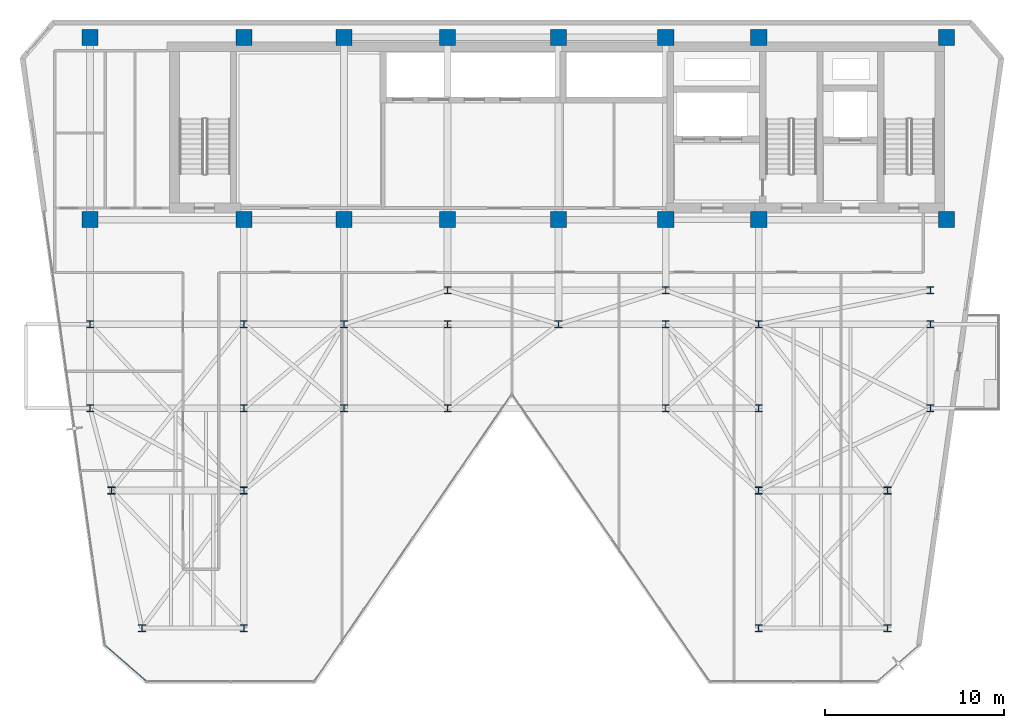
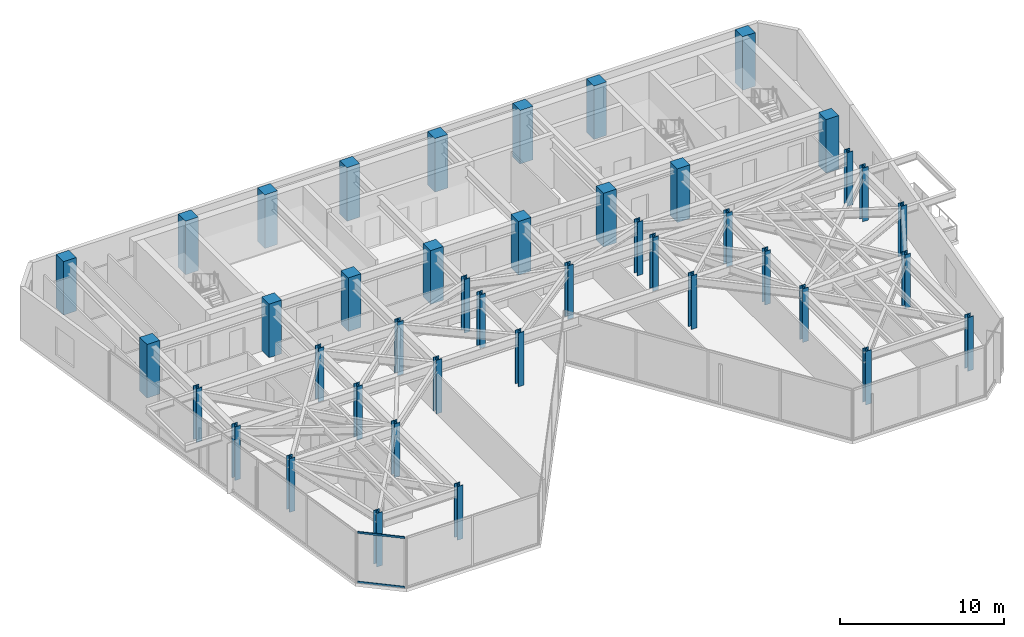
# One storey, part 1 of 26: 42 columns, 2 members, 1 element without a shape of its own.
"""IFC4 building model written with IfcOpenShell, lengths in metres."""

from ifc_helpers import new_model, si_unit, direction, frame, origin, origin_2d, place, context, subcontext, project, spatial, rectangle, hollow_rectangle, i_section, extrude, material, layer, layer_set, material_profile, profile_set, type_object, element, aggregate, save


model = new_model("IFC4")

# Units and contexts
model_context = context("Model", 3, precision=1e-05, world=origin(), true_north=direction((0.0, 1.0)))
body_context = subcontext(model_context, "Body", "Model", "MODEL_VIEW")
ifc_project = project(units=[si_unit("LENGTHUNIT", "METRE"), si_unit("AREAUNIT", "SQUARE_METRE"), si_unit("VOLUMEUNIT", "CUBIC_METRE"), si_unit("PLANEANGLEUNIT", "RADIAN"), si_unit("MASSUNIT", "GRAM", prefix="KILO")], contexts=[model_context])

# Site, building, storey
site_placement = place(None, origin())
site = spatial("IfcSite", under=ifc_project, at=site_placement, CompositionType="ELEMENT")
building_placement = place(site_placement, origin())
building = spatial("IfcBuilding", under=site, at=building_placement, Name="Kravanh Interchange Tower", CompositionType="ELEMENT")
storey_placement = place(building_placement, frame((0.0, 0.0, 212.5)))
storey = spatial("IfcBuildingStorey", under=building, at=storey_placement, Name="L51", CompositionType="ELEMENT", Elevation=212.5)

# Columns
ifc_material_1 = material(Name="Concrete C60/75", Category="concrete")
ifc_material_profile_1 = material_profile(ifc_material_1, rectangle(XDim=0.89990234375, YDim=0.89990234375, at=origin_2d()), Name="RC900X900")
ifc_profile_set_1 = profile_set([ifc_material_profile_1], Name="Concrete C60/75")
column_type_1 = type_object("IfcColumnType", Name="Column RC900X900 Concrete C60/75", PredefinedType="COLUMN", material=ifc_profile_set_1)
for number, where, z_axis, x_axis, name in (
    (1, (66.5, 47.550048828125, 0.0), (0.0, 0.0, 1.0), (1.0, 0.0, 0.0), "L51 Column CS01"),
    (2, (56.0, 47.550048828125, 0.0), (0.0, 0.0, 1.0), (1.0, 0.0, 0.0), "L51 Column CS02"),
    (3, (66.5, 37.35009765625, 0.0), (0.0, 0.0, 1.0), (1.0, 0.0, 0.0), "L51 Column CS03"),
    (4, (56.0, 37.35009765625, 0.0), (0.0, 0.0, 1.0), (1.0, 0.0, 0.0), "L51 Column CS04"),
    (5, (50.800048828125, 47.550048828125, 0.0), (0.0, 0.0, 1.0), (1.0, 0.0, 0.0), "L51 Column CS05"),
    (6, (50.800048828125, 37.35009765625, 0.0), (0.0, 0.0, 1.0), (1.0, 0.0, 0.0), "L51 Column CS06"),
    (7, (44.800048828125, 37.35009765625, 0.0), (0.0, 0.0, 1.0), (1.0, 0.0, 0.0), "L51 Column CS07"),
    (8, (44.800048828125, 47.550048828125, 0.0), (0.0, 0.0, 1.0), (1.0, 0.0, 0.0), "L51 Column CS08"),
    (9, (38.60009765625, 37.35009765625, 0.0), (0.0, 0.0, 1.0), (1.0, 0.0, 0.0), "L51 Column CS09"),
    (10, (38.60009765625, 47.550048828125, 0.0), (0.0, 0.0, 1.0), (1.0, 0.0, 0.0), "L51 Column CS10"),
    (11, (32.800048828125, 37.35009765625, 0.0), (0.0, 0.0, 1.0), (1.0, 0.0, 0.0), "L51 Column CS11"),
    (12, (32.800048828125, 47.550048828125, 0.0), (0.0, 0.0, 1.0), (1.0, 0.0, 0.0), "L51 Column CS12"),
    (13, (27.199951171875, 37.35009765625, 0.0), (0.0, 0.0, 1.0), (1.0, 0.0, 0.0), "L51 Column CS13"),
    (14, (27.199951171875, 47.550048828125, 0.0), (0.0, 0.0, 1.0), (1.0, 0.0, 0.0), "L51 Column CS14"),
    (15, (18.60009765625, 37.35009765625, 0.0), (0.0, 0.0, 1.0), (1.0, 0.0, 0.0), "L51 Column CS17"),
    (16, (18.60009765625, 47.550048828125, 0.0), (0.0, 0.0, 1.0), (1.0, 0.0, 0.0), "L51 Column CS18"),
):
    element("IfcColumn", number, at=place(storey_placement, frame(where, z_axis=z_axis, x_axis=x_axis)), inside=storey, type_object=column_type_1, Name=name, PredefinedType="COLUMN", context=body_context, shape_type="SweptSolid", body=[
        extrude(rectangle(XDim=0.89990234375, YDim=0.89990234375, at=origin_2d()), origin(), (0.0, 0.0, 1.0), 4.0),
    ])
ifc_material_2 = material(Name="Structural Steel S355", Category="steel")
ifc_material_profile_2 = material_profile(ifc_material_2, i_section(OverallWidth=0.40087890625, OverallDepth=0.39892578125, WebThickness=0.02490234375, FlangeThickness=0.03955078125, FilletRadius=0.030029296875, at=origin_2d()), Name="W14X211")
ifc_profile_set_2 = profile_set([ifc_material_profile_2], Name="Structural Steel S355")
column_type_2 = type_object("IfcColumnType", Name="Column W14X211 Structural Steel S355", PredefinedType="COLUMN", material=ifc_profile_set_2)
for number, where, z_axis, x_axis, name in (
    (17, (21.5, 14.5, 0.0), (0.0, 0.0, 1.0), (1.0, 0.0, 0.0), "L51 Column CZ3_1"),
    (18, (18.60009765625, 26.800048828125, 0.0), (0.0, 0.0, 1.0), (1.0, 0.0, 0.0), "L51 Column CZ3_11"),
    (19, (27.199951171875, 26.800048828125, 0.0), (0.0, 0.0, 1.0), (1.0, 0.0, 0.0), "L51 Column CZ3_12"),
    (20, (32.800048828125, 26.800048828125, 0.0), (0.0, 0.0, 1.0), (1.0, 0.0, 0.0), "L51 Column CZ3_13"),
    (21, (38.60009765625, 26.800048828125, 0.0), (0.0, 0.0, 1.0), (1.0, 0.0, 0.0), "L51 Column CZ3_13B"),
    (22, (50.800048828125, 26.800048828125, 0.0), (0.0, 0.0, 1.0), (1.0, 0.0, 0.0), "L51 Column CZ3_14"),
    (23, (56.0, 26.800048828125, 0.0), (0.0, 0.0, 1.0), (1.0, 0.0, 0.0), "L51 Column CZ3_15"),
    (24, (65.60009765625, 26.800048828125, 0.0), (0.0, 0.0, 1.0), (1.0, 0.0, 0.0), "L51 Column CZ3_16"),
    (25, (18.60009765625, 31.5, 0.0), (0.0, 0.0, 1.0), (1.0, 0.0, 0.0), "L51 Column CZ3_17"),
    (26, (27.199951171875, 31.5, 0.0), (0.0, 0.0, 1.0), (1.0, 0.0, 0.0), "L51 Column CZ3_18"),
    (27, (32.800048828125, 31.5, 0.0), (0.0, 0.0, 1.0), (1.0, 0.0, 0.0), "L51 Column CZ3_19"),
    (28, (27.199951171875, 14.5, 0.0), (0.0, 0.0, 1.0), (1.0, 0.0, 0.0), "L51 Column CZ3_2"),
    (29, (38.60009765625, 31.5, 0.0), (0.0, 0.0, 1.0), (1.0, 0.0, 0.0), "L51 Column CZ3_20"),
    (30, (44.800048828125, 31.5, 0.0), (0.0, 0.0, 1.0), (1.0, 0.0, 0.0), "L51 Column CZ3_21"),
    (31, (50.800048828125, 31.5, 0.0), (0.0, 0.0, 1.0), (1.0, 0.0, 0.0), "L51 Column CZ3_22"),
    (32, (56.0, 31.5, 0.0), (0.0, 0.0, 1.0), (1.0, 0.0, 0.0), "L51 Column CZ3_23"),
    (33, (65.60009765625, 31.5, 0.0), (0.0, 0.0, 1.0), (1.0, 0.0, 0.0), "L51 Column CZ3_24"),
    (34, (56.0, 14.5, 0.0), (0.0, 0.0, 1.0), (1.0, 0.0, 0.0), "L51 Column CZ3_3"),
    (35, (63.199951171875, 14.5, 0.0), (0.0, 0.0, 1.0), (1.0, 0.0, 0.0), "L51 Column CZ3_4"),
    (36, (19.800048828125, 22.199951171875, 0.0), (0.0, 0.0, 1.0), (1.0, 0.0, 0.0), "L51 Column CZ3_5"),
    (37, (27.199951171875, 22.199951171875, 0.0), (0.0, 0.0, 1.0), (1.0, 0.0, 0.0), "L51 Column CZ3_6"),
    (38, (56.0, 22.199951171875, 0.0), (0.0, 0.0, 1.0), (1.0, 0.0, 0.0), "L51 Column CZ3_8"),
    (39, (63.199951171875, 22.199951171875, 0.0), (0.0, 0.0, 1.0), (1.0, 0.0, 0.0), "L51 Column CZ3_9"),
    (40, (38.60009765625, 33.39990234375, 0.0), (0.0, 0.0, 1.0), (1.0, 0.0, 0.0), "L51 Column CZ3_M1"),
    (41, (50.800048828125, 33.39990234375, 0.0), (0.0, 0.0, 1.0), (1.0, 0.0, 0.0), "L51 Column CZ3_M2"),
    (42, (65.60009765625, 33.39990234375, 0.0), (0.0, 0.0, 1.0), (1.0, 0.0, 0.0), "L51 Column CZ3_M3"),
):
    element("IfcColumn", number, at=place(storey_placement, frame(where, z_axis=z_axis, x_axis=x_axis)), inside=storey, type_object=column_type_2, Name=name, PredefinedType="COLUMN", context=body_context, shape_type="SweptSolid", body=[
        extrude(i_section(OverallWidth=0.40087890625, OverallDepth=0.39892578125, WebThickness=0.02490234375, FlangeThickness=0.03955078125, FilletRadius=0.030029296875, at=origin_2d()), origin(), (0.0, 0.0, 1.0), 4.0),
    ])

# Curtain wall, members
ifc_material_3 = material(Name="Anodised Bronze Aluminium", Category="aluminium")
ifc_layer = layer(ifc_material_3, 0.179931640625)
ifc_layer_set = layer_set([ifc_layer], Name="Unitised Curtain Wall System CW-Z3 Upper Office")
curtain_wall_type = type_object("IfcCurtainWallType", Name="Unitised Curtain Wall System CW-Z3 Upper Office", PredefinedType="NOTDEFINED", material=ifc_layer_set)
curtain_wall_placement = place(storey_placement, origin())
curtain_wall = element("IfcCurtainWall", 43, at=curtain_wall_placement, inside=storey, type_object=curtain_wall_type, Name="L51 Unitised Curtain Wall CW-L51-07", PredefinedType="NOTDEFINED")
ifc_material_4 = material(Name="Anodised Bronze Aluminium", Category="aluminium")
ifc_material_profile_3 = material_profile(ifc_material_4, hollow_rectangle(XDim=0.06005859375, YDim=0.139892578125, WallThickness=0.00390625, at=origin_2d()), Name="ALU60X140X4")
ifc_profile_set_3 = profile_set([ifc_material_profile_3], Name="Anodised Bronze Aluminium")
member_type = type_object("IfcMemberType", Name="Curtain Wall Transom ALU60X140X4 Bronze", PredefinedType="USERDEFINED", material=ifc_profile_set_3)
member_1_placement = place(storey_placement, frame((21.713623046875, 11.559326171875, 0.030029296875), z_axis=(-0.754708504141, 0.656060266879, 0.0), x_axis=(-0.656060266879, -0.754708504141, 0.0)))
member_1 = element("IfcMember", 44, at=member_1_placement, type_object=member_type, Name="CW-Z3 transom 1.1", ObjectType="TRANSOM", PredefinedType="USERDEFINED", context=body_context, shape_type="SweptSolid", body=[
    extrude(hollow_rectangle(XDim=0.06005859375, YDim=0.139892578125, WallThickness=0.00390625, at=origin_2d()), origin(), (0.0, 0.0, 1.0), 2.9599609375),
])
member_2_placement = place(storey_placement, frame((21.713623046875, 11.559326171875, 3.72509765625), z_axis=(-0.754708504141, 0.656060266879, 0.0), x_axis=(-0.656060266879, -0.754708504141, 0.0)))
member_2 = element("IfcMember", 45, at=member_2_placement, type_object=member_type, Name="CW-Z3 transom 1.2", ObjectType="TRANSOM", PredefinedType="USERDEFINED", context=body_context, shape_type="SweptSolid", body=[
    extrude(hollow_rectangle(XDim=0.06005859375, YDim=0.139892578125, WallThickness=0.00390625, at=origin_2d()), origin(), (0.0, 0.0, 1.0), 2.9599609375),
])
aggregate(curtain_wall, [member_1, member_2])

save(model, "model.ifc")
